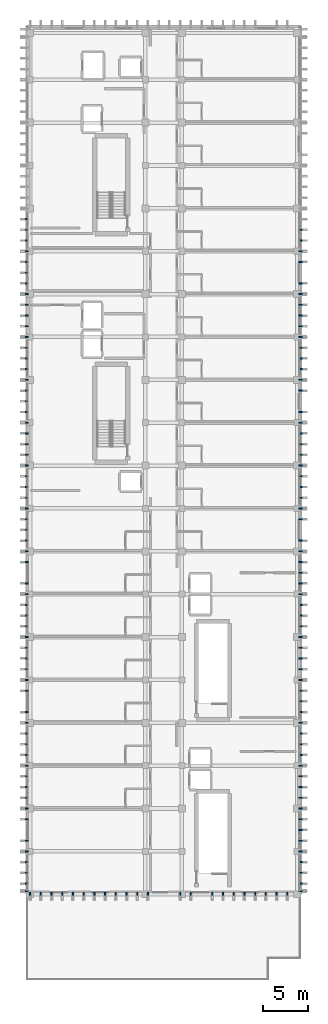
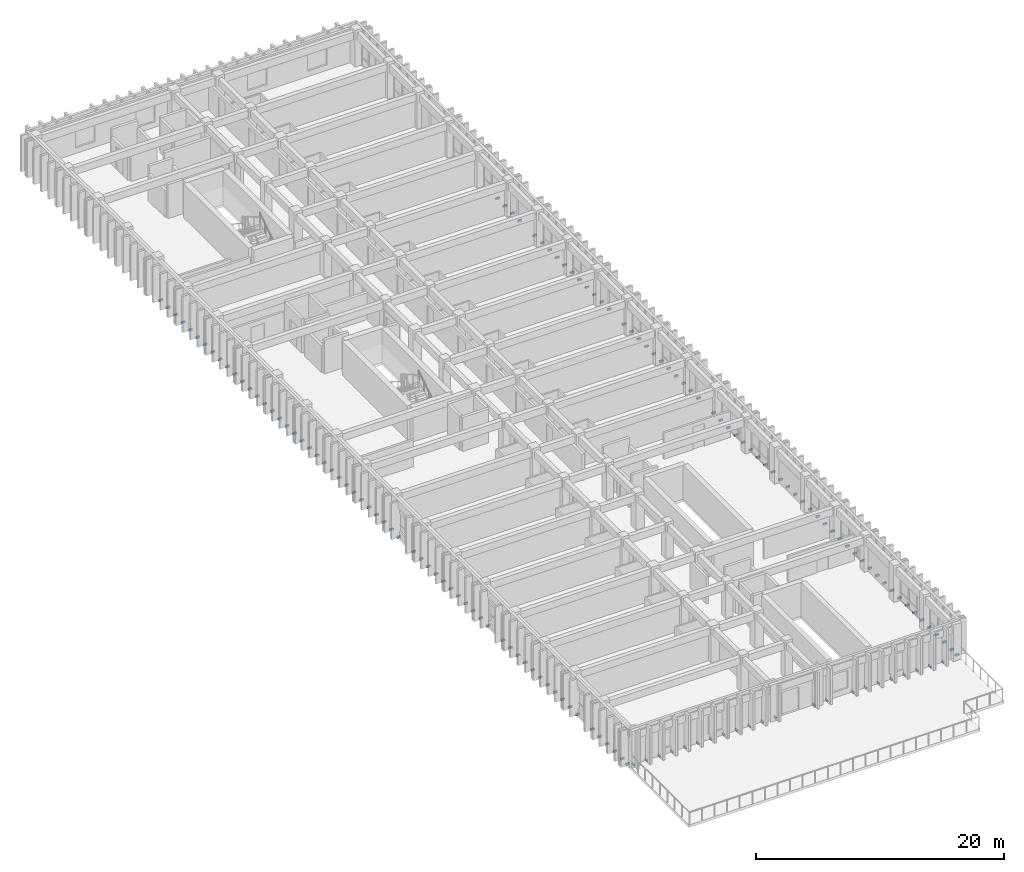
# One storey, part 61 of 68: 143 discrete accessories.
"""IFC4 building model written with IfcOpenShell, lengths in metres."""

from ifc_helpers import new_model, si_unit, direction, frame, origin, origin_2d, place, context, subcontext, project, spatial, rectangle, extrude, material, type_object, element, save


model = new_model("IFC4")

# Units and contexts
model_context = context("Model", 3, precision=1e-05, world=origin(), true_north=direction((0.0, 1.0)))
body_context = subcontext(model_context, "Body", "Model", "MODEL_VIEW")
ifc_project = project(units=[si_unit("LENGTHUNIT", "METRE"), si_unit("AREAUNIT", "SQUARE_METRE"), si_unit("VOLUMEUNIT", "CUBIC_METRE"), si_unit("PLANEANGLEUNIT", "RADIAN"), si_unit("MASSUNIT", "GRAM", prefix="KILO")], contexts=[model_context])

# Site, building, storey
site_placement = place(None, origin())
site = spatial("IfcSite", under=ifc_project, at=site_placement, CompositionType="ELEMENT")
building_placement = place(site_placement, origin())
building = spatial("IfcBuilding", under=site, at=building_placement, Name="Nakhvara Creek Congress Hotel", CompositionType="ELEMENT")
storey_placement = place(building_placement, frame((0.0, 0.0, 24.60009765625)))
storey = spatial("IfcBuildingStorey", under=building, at=storey_placement, Name="L05", CompositionType="ELEMENT", Elevation=24.60009765625)

# Discrete accessories
ifc_material = material(Name="Brushed stainless steel 316L", Category="steel")
discrete_accessory_type = type_object("IfcDiscreteAccessoryType", Name="ACC-BRK-SS316", PredefinedType="BRACKET", material=ifc_material)
for number, where, z_axis, x_axis, name in (
    (1, (179.72998046875, 29.14990234375, -0.10986328125), (0.0, 0.0, 1.0), (0.0, 1.0, 0.0), "Stainless Fin Bracket BK01-1283"),
    (2, (149.070068359375, 29.14990234375, -0.10986328125), (0.0, 0.0, 1.0), (0.0, 1.0, 0.0), "Stainless Fin Bracket BK01-1284"),
    (3, (179.72998046875, 30.0, -0.10986328125), (0.0, 0.0, 1.0), (0.0, 1.0, 0.0), "Stainless Fin Bracket BK01-1285"),
    (4, (149.070068359375, 30.0, -0.10986328125), (0.0, 0.0, 1.0), (0.0, 1.0, 0.0), "Stainless Fin Bracket BK01-1286"),
    (5, (179.72998046875, 31.199951171875, -0.10986328125), (0.0, 0.0, 1.0), (0.0, 1.0, 0.0), "Stainless Fin Bracket BK01-1287"),
    (6, (149.070068359375, 31.199951171875, -0.10986328125), (0.0, 0.0, 1.0), (0.0, 1.0, 0.0), "Stainless Fin Bracket BK01-1288"),
    (7, (179.72998046875, 32.39990234375, -0.10986328125), (0.0, 0.0, 1.0), (0.0, 1.0, 0.0), "Stainless Fin Bracket BK01-1289"),
    (8, (149.070068359375, 32.39990234375, -0.10986328125), (0.0, 0.0, 1.0), (0.0, 1.0, 0.0), "Stainless Fin Bracket BK01-1290"),
    (9, (179.72998046875, 33.60009765625, -0.10986328125), (0.0, 0.0, 1.0), (0.0, 1.0, 0.0), "Stainless Fin Bracket BK01-1291"),
    (10, (149.070068359375, 33.60009765625, -0.10986328125), (0.0, 0.0, 1.0), (0.0, 1.0, 0.0), "Stainless Fin Bracket BK01-1292"),
    (11, (179.72998046875, 34.800048828125, -0.10986328125), (0.0, 0.0, 1.0), (0.0, 1.0, 0.0), "Stainless Fin Bracket BK01-1293"),
    (12, (149.070068359375, 34.800048828125, -0.10986328125), (0.0, 0.0, 1.0), (0.0, 1.0, 0.0), "Stainless Fin Bracket BK01-1294"),
    (13, (179.72998046875, 36.0, -0.10986328125), (0.0, 0.0, 1.0), (0.0, 1.0, 0.0), "Stainless Fin Bracket BK01-1295"),
    (14, (179.72998046875, 37.199951171875, -0.10986328125), (0.0, 0.0, 1.0), (0.0, 1.0, 0.0), "Stainless Fin Bracket BK01-1296"),
    (15, (149.070068359375, 37.199951171875, -0.10986328125), (0.0, 0.0, 1.0), (0.0, 1.0, 0.0), "Stainless Fin Bracket BK01-1297"),
    (16, (179.72998046875, 38.39990234375, -0.10986328125), (0.0, 0.0, 1.0), (0.0, 1.0, 0.0), "Stainless Fin Bracket BK01-1298"),
    (17, (149.070068359375, 38.39990234375, -0.10986328125), (0.0, 0.0, 1.0), (0.0, 1.0, 0.0), "Stainless Fin Bracket BK01-1299"),
    (18, (179.72998046875, 39.60009765625, -0.10986328125), (0.0, 0.0, 1.0), (0.0, 1.0, 0.0), "Stainless Fin Bracket BK01-1300"),
    (19, (149.070068359375, 39.60009765625, -0.10986328125), (0.0, 0.0, 1.0), (0.0, 1.0, 0.0), "Stainless Fin Bracket BK01-1301"),
    (20, (179.72998046875, 40.800048828125, -0.10986328125), (0.0, 0.0, 1.0), (0.0, 1.0, 0.0), "Stainless Fin Bracket BK01-1302"),
    (21, (149.070068359375, 40.800048828125, -0.10986328125), (0.0, 0.0, 1.0), (0.0, 1.0, 0.0), "Stainless Fin Bracket BK01-1303"),
    (22, (179.72998046875, 42.0, -0.10986328125), (0.0, 0.0, 1.0), (0.0, 1.0, 0.0), "Stainless Fin Bracket BK01-1304"),
    (23, (149.070068359375, 42.0, -0.10986328125), (0.0, 0.0, 1.0), (0.0, 1.0, 0.0), "Stainless Fin Bracket BK01-1305"),
    (24, (179.72998046875, 43.199951171875, -0.10986328125), (0.0, 0.0, 1.0), (0.0, 1.0, 0.0), "Stainless Fin Bracket BK01-1306"),
    (25, (149.070068359375, 43.199951171875, -0.10986328125), (0.0, 0.0, 1.0), (0.0, 1.0, 0.0), "Stainless Fin Bracket BK01-1307"),
    (26, (179.72998046875, 44.39990234375, -0.10986328125), (0.0, 0.0, 1.0), (0.0, 1.0, 0.0), "Stainless Fin Bracket BK01-1308"),
    (27, (149.070068359375, 44.39990234375, -0.10986328125), (0.0, 0.0, 1.0), (0.0, 1.0, 0.0), "Stainless Fin Bracket BK01-1309"),
    (28, (179.72998046875, 45.60009765625, -0.10986328125), (0.0, 0.0, 1.0), (0.0, 1.0, 0.0), "Stainless Fin Bracket BK01-1310"),
    (29, (149.070068359375, 45.60009765625, -0.10986328125), (0.0, 0.0, 1.0), (0.0, 1.0, 0.0), "Stainless Fin Bracket BK01-1311"),
    (30, (179.72998046875, 46.800048828125, -0.10986328125), (0.0, 0.0, 1.0), (0.0, 1.0, 0.0), "Stainless Fin Bracket BK01-1312"),
    (31, (149.070068359375, 46.800048828125, -0.10986328125), (0.0, 0.0, 1.0), (0.0, 1.0, 0.0), "Stainless Fin Bracket BK01-1313"),
    (32, (179.72998046875, 48.0, -0.10986328125), (0.0, 0.0, 1.0), (0.0, 1.0, 0.0), "Stainless Fin Bracket BK01-1314"),
    (33, (149.070068359375, 48.0, -0.10986328125), (0.0, 0.0, 1.0), (0.0, 1.0, 0.0), "Stainless Fin Bracket BK01-1315"),
    (34, (179.72998046875, 49.199951171875, -0.10986328125), (0.0, 0.0, 1.0), (0.0, 1.0, 0.0), "Stainless Fin Bracket BK01-1316"),
    (35, (149.070068359375, 49.199951171875, -0.10986328125), (0.0, 0.0, 1.0), (0.0, 1.0, 0.0), "Stainless Fin Bracket BK01-1317"),
    (36, (179.72998046875, 50.39990234375, -0.10986328125), (0.0, 0.0, 1.0), (0.0, 1.0, 0.0), "Stainless Fin Bracket BK01-1318"),
    (37, (179.72998046875, 51.60009765625, -0.10986328125), (0.0, 0.0, 1.0), (0.0, 1.0, 0.0), "Stainless Fin Bracket BK01-1319"),
    (38, (149.070068359375, 51.60009765625, -0.10986328125), (0.0, 0.0, 1.0), (0.0, 1.0, 0.0), "Stainless Fin Bracket BK01-1320"),
    (39, (179.72998046875, 52.800048828125, -0.10986328125), (0.0, 0.0, 1.0), (0.0, 1.0, 0.0), "Stainless Fin Bracket BK01-1321"),
    (40, (149.070068359375, 52.800048828125, -0.10986328125), (0.0, 0.0, 1.0), (0.0, 1.0, 0.0), "Stainless Fin Bracket BK01-1322"),
    (41, (179.72998046875, 54.0, -0.10986328125), (0.0, 0.0, 1.0), (0.0, 1.0, 0.0), "Stainless Fin Bracket BK01-1323"),
    (42, (149.070068359375, 54.0, -0.10986328125), (0.0, 0.0, 1.0), (0.0, 1.0, 0.0), "Stainless Fin Bracket BK01-1324"),
    (43, (179.72998046875, 55.199951171875, -0.10986328125), (0.0, 0.0, 1.0), (0.0, 1.0, 0.0), "Stainless Fin Bracket BK01-1325"),
    (44, (149.070068359375, 55.199951171875, -0.10986328125), (0.0, 0.0, 1.0), (0.0, 1.0, 0.0), "Stainless Fin Bracket BK01-1326"),
    (45, (179.72998046875, 56.39990234375, -0.10986328125), (0.0, 0.0, 1.0), (0.0, 1.0, 0.0), "Stainless Fin Bracket BK01-1327"),
    (46, (149.070068359375, 56.39990234375, -0.10986328125), (0.0, 0.0, 1.0), (0.0, 1.0, 0.0), "Stainless Fin Bracket BK01-1328"),
    (47, (179.72998046875, 57.60009765625, -0.10986328125), (0.0, 0.0, 1.0), (0.0, 1.0, 0.0), "Stainless Fin Bracket BK01-1329"),
    (48, (149.070068359375, 57.60009765625, -0.10986328125), (0.0, 0.0, 1.0), (0.0, 1.0, 0.0), "Stainless Fin Bracket BK01-1330"),
    (49, (179.72998046875, 58.800048828125, -0.10986328125), (0.0, 0.0, 1.0), (0.0, 1.0, 0.0), "Stainless Fin Bracket BK01-1331"),
    (50, (149.070068359375, 58.800048828125, -0.10986328125), (0.0, 0.0, 1.0), (0.0, 1.0, 0.0), "Stainless Fin Bracket BK01-1332"),
    (51, (179.72998046875, 60.0, -0.10986328125), (0.0, 0.0, 1.0), (0.0, 1.0, 0.0), "Stainless Fin Bracket BK01-1333"),
    (52, (149.070068359375, 60.0, -0.10986328125), (0.0, 0.0, 1.0), (0.0, 1.0, 0.0), "Stainless Fin Bracket BK01-1334"),
    (53, (179.72998046875, 61.199951171875, -0.10986328125), (0.0, 0.0, 1.0), (0.0, 1.0, 0.0), "Stainless Fin Bracket BK01-1335"),
    (54, (149.070068359375, 61.199951171875, -0.10986328125), (0.0, 0.0, 1.0), (0.0, 1.0, 0.0), "Stainless Fin Bracket BK01-1336"),
    (55, (179.72998046875, 62.39990234375, -0.10986328125), (0.0, 0.0, 1.0), (0.0, 1.0, 0.0), "Stainless Fin Bracket BK01-1337"),
    (56, (149.070068359375, 62.39990234375, -0.10986328125), (0.0, 0.0, 1.0), (0.0, 1.0, 0.0), "Stainless Fin Bracket BK01-1338"),
    (57, (179.72998046875, 63.60009765625, -0.10986328125), (0.0, 0.0, 1.0), (0.0, 1.0, 0.0), "Stainless Fin Bracket BK01-1339"),
    (58, (149.070068359375, 63.60009765625, -0.10986328125), (0.0, 0.0, 1.0), (0.0, 1.0, 0.0), "Stainless Fin Bracket BK01-1340"),
    (59, (179.72998046875, 64.800048828125, -0.10986328125), (0.0, 0.0, 1.0), (0.0, 1.0, 0.0), "Stainless Fin Bracket BK01-1341"),
    (60, (179.72998046875, 66.0, -0.10986328125), (0.0, 0.0, 1.0), (0.0, 1.0, 0.0), "Stainless Fin Bracket BK01-1342"),
    (61, (149.070068359375, 66.0, -0.10986328125), (0.0, 0.0, 1.0), (0.0, 1.0, 0.0), "Stainless Fin Bracket BK01-1343"),
    (62, (179.72998046875, 67.199951171875, -0.10986328125), (0.0, 0.0, 1.0), (0.0, 1.0, 0.0), "Stainless Fin Bracket BK01-1344"),
    (63, (149.070068359375, 67.199951171875, -0.10986328125), (0.0, 0.0, 1.0), (0.0, 1.0, 0.0), "Stainless Fin Bracket BK01-1345"),
    (64, (179.72998046875, 68.39990234375, -0.10986328125), (0.0, 0.0, 1.0), (0.0, 1.0, 0.0), "Stainless Fin Bracket BK01-1346"),
    (65, (149.070068359375, 68.39990234375, -0.10986328125), (0.0, 0.0, 1.0), (0.0, 1.0, 0.0), "Stainless Fin Bracket BK01-1347"),
    (66, (149.070068359375, 69.60009765625, -0.10986328125), (0.0, 0.0, 1.0), (0.0, 1.0, 0.0), "Stainless Fin Bracket BK01-1348"),
    (67, (179.72998046875, 70.800048828125, -0.10986328125), (0.0, 0.0, 1.0), (0.0, 1.0, 0.0), "Stainless Fin Bracket BK01-1349"),
    (68, (149.070068359375, 70.800048828125, -0.10986328125), (0.0, 0.0, 1.0), (0.0, 1.0, 0.0), "Stainless Fin Bracket BK01-1350"),
    (69, (179.72998046875, 72.0, -0.10986328125), (0.0, 0.0, 1.0), (0.0, 1.0, 0.0), "Stainless Fin Bracket BK01-1351"),
    (70, (149.070068359375, 72.0, -0.10986328125), (0.0, 0.0, 1.0), (0.0, 1.0, 0.0), "Stainless Fin Bracket BK01-1352"),
    (71, (179.72998046875, 73.199951171875, -0.10986328125), (0.0, 0.0, 1.0), (0.0, 1.0, 0.0), "Stainless Fin Bracket BK01-1353"),
    (72, (149.070068359375, 73.199951171875, -0.10986328125), (0.0, 0.0, 1.0), (0.0, 1.0, 0.0), "Stainless Fin Bracket BK01-1354"),
    (73, (179.72998046875, 74.39990234375, -0.10986328125), (0.0, 0.0, 1.0), (0.0, 1.0, 0.0), "Stainless Fin Bracket BK01-1355"),
    (74, (149.070068359375, 74.39990234375, -0.10986328125), (0.0, 0.0, 1.0), (0.0, 1.0, 0.0), "Stainless Fin Bracket BK01-1356"),
    (75, (179.72998046875, 75.60009765625, -0.10986328125), (0.0, 0.0, 1.0), (0.0, 1.0, 0.0), "Stainless Fin Bracket BK01-1357"),
    (76, (149.070068359375, 75.60009765625, -0.10986328125), (0.0, 0.0, 1.0), (0.0, 1.0, 0.0), "Stainless Fin Bracket BK01-1358"),
    (77, (179.72998046875, 76.800048828125, -0.10986328125), (0.0, 0.0, 1.0), (0.0, 1.0, 0.0), "Stainless Fin Bracket BK01-1359"),
    (78, (149.070068359375, 76.800048828125, -0.10986328125), (0.0, 0.0, 1.0), (0.0, 1.0, 0.0), "Stainless Fin Bracket BK01-1360"),
    (79, (179.72998046875, 78.0, -0.10986328125), (0.0, 0.0, 1.0), (0.0, 1.0, 0.0), "Stainless Fin Bracket BK01-1361"),
    (80, (149.070068359375, 78.0, -0.10986328125), (0.0, 0.0, 1.0), (0.0, 1.0, 0.0), "Stainless Fin Bracket BK01-1362"),
    (81, (179.72998046875, 79.199951171875, -0.10986328125), (0.0, 0.0, 1.0), (0.0, 1.0, 0.0), "Stainless Fin Bracket BK01-1363"),
    (82, (149.070068359375, 79.199951171875, -0.10986328125), (0.0, 0.0, 1.0), (0.0, 1.0, 0.0), "Stainless Fin Bracket BK01-1364"),
    (83, (179.72998046875, 80.39990234375, -0.10986328125), (0.0, 0.0, 1.0), (0.0, 1.0, 0.0), "Stainless Fin Bracket BK01-1365"),
    (84, (149.070068359375, 80.39990234375, -0.10986328125), (0.0, 0.0, 1.0), (0.0, 1.0, 0.0), "Stainless Fin Bracket BK01-1366"),
    (85, (179.72998046875, 81.60009765625, -0.10986328125), (0.0, 0.0, 1.0), (0.0, 1.0, 0.0), "Stainless Fin Bracket BK01-1367"),
    (86, (149.070068359375, 81.60009765625, -0.10986328125), (0.0, 0.0, 1.0), (0.0, 1.0, 0.0), "Stainless Fin Bracket BK01-1368"),
    (87, (179.72998046875, 82.800048828125, -0.10986328125), (0.0, 0.0, 1.0), (0.0, 1.0, 0.0), "Stainless Fin Bracket BK01-1369"),
    (88, (149.070068359375, 82.800048828125, -0.10986328125), (0.0, 0.0, 1.0), (0.0, 1.0, 0.0), "Stainless Fin Bracket BK01-1370"),
    (89, (149.070068359375, 84.0, -0.10986328125), (0.0, 0.0, 1.0), (0.0, 1.0, 0.0), "Stainless Fin Bracket BK01-1371"),
    (90, (179.72998046875, 85.199951171875, -0.10986328125), (0.0, 0.0, 1.0), (0.0, 1.0, 0.0), "Stainless Fin Bracket BK01-1372"),
    (91, (149.070068359375, 85.199951171875, -0.10986328125), (0.0, 0.0, 1.0), (0.0, 1.0, 0.0), "Stainless Fin Bracket BK01-1373"),
    (92, (179.72998046875, 86.39990234375, -0.10986328125), (0.0, 0.0, 1.0), (0.0, 1.0, 0.0), "Stainless Fin Bracket BK01-1374"),
    (93, (149.070068359375, 86.39990234375, -0.10986328125), (0.0, 0.0, 1.0), (0.0, 1.0, 0.0), "Stainless Fin Bracket BK01-1375"),
    (94, (179.72998046875, 87.60009765625, -0.10986328125), (0.0, 0.0, 1.0), (0.0, 1.0, 0.0), "Stainless Fin Bracket BK01-1376"),
    (95, (149.070068359375, 87.60009765625, -0.10986328125), (0.0, 0.0, 1.0), (0.0, 1.0, 0.0), "Stainless Fin Bracket BK01-1377"),
    (96, (179.72998046875, 88.800048828125, -0.10986328125), (0.0, 0.0, 1.0), (0.0, 1.0, 0.0), "Stainless Fin Bracket BK01-1378"),
    (97, (149.070068359375, 88.800048828125, -0.10986328125), (0.0, 0.0, 1.0), (0.0, 1.0, 0.0), "Stainless Fin Bracket BK01-1379"),
    (98, (179.72998046875, 90.0, -0.10986328125), (0.0, 0.0, 1.0), (0.0, 1.0, 0.0), "Stainless Fin Bracket BK01-1380"),
    (99, (149.070068359375, 90.0, -0.10986328125), (0.0, 0.0, 1.0), (0.0, 1.0, 0.0), "Stainless Fin Bracket BK01-1381"),
    (100, (179.72998046875, 91.199951171875, -0.10986328125), (0.0, 0.0, 1.0), (0.0, 1.0, 0.0), "Stainless Fin Bracket BK01-1382"),
    (101, (149.070068359375, 91.199951171875, -0.10986328125), (0.0, 0.0, 1.0), (0.0, 1.0, 0.0), "Stainless Fin Bracket BK01-1383"),
    (102, (179.72998046875, 92.39990234375, -0.10986328125), (0.0, 0.0, 1.0), (0.0, 1.0, 0.0), "Stainless Fin Bracket BK01-1384"),
    (103, (149.070068359375, 92.39990234375, -0.10986328125), (0.0, 0.0, 1.0), (0.0, 1.0, 0.0), "Stainless Fin Bracket BK01-1385"),
    (104, (179.72998046875, 93.60009765625, -0.10986328125), (0.0, 0.0, 1.0), (0.0, 1.0, 0.0), "Stainless Fin Bracket BK01-1386"),
    (105, (149.070068359375, 93.60009765625, -0.10986328125), (0.0, 0.0, 1.0), (0.0, 1.0, 0.0), "Stainless Fin Bracket BK01-1387"),
    (106, (179.72998046875, 94.800048828125, -0.10986328125), (0.0, 0.0, 1.0), (0.0, 1.0, 0.0), "Stainless Fin Bracket BK01-1388"),
    (107, (149.070068359375, 94.800048828125, -0.10986328125), (0.0, 0.0, 1.0), (0.0, 1.0, 0.0), "Stainless Fin Bracket BK01-1389"),
    (108, (179.72998046875, 96.0, -0.10986328125), (0.0, 0.0, 1.0), (0.0, 1.0, 0.0), "Stainless Fin Bracket BK01-1390"),
    (109, (149.070068359375, 96.0, -0.10986328125), (0.0, 0.0, 1.0), (0.0, 1.0, 0.0), "Stainless Fin Bracket BK01-1391"),
    (110, (179.72998046875, 97.199951171875, -0.10986328125), (0.0, 0.0, 1.0), (0.0, 1.0, 0.0), "Stainless Fin Bracket BK01-1392"),
    (111, (149.070068359375, 97.199951171875, -0.10986328125), (0.0, 0.0, 1.0), (0.0, 1.0, 0.0), "Stainless Fin Bracket BK01-1393"),
    (112, (149.070068359375, 98.39990234375, -0.10986328125), (0.0, 0.0, 1.0), (0.0, 1.0, 0.0), "Stainless Fin Bracket BK01-1394"),
    (113, (179.72998046875, 99.60009765625, -0.10986328125), (0.0, 0.0, 1.0), (0.0, 1.0, 0.0), "Stainless Fin Bracket BK01-1395"),
    (114, (149.070068359375, 99.60009765625, -0.10986328125), (0.0, 0.0, 1.0), (0.0, 1.0, 0.0), "Stainless Fin Bracket BK01-1396"),
    (115, (179.72998046875, 100.800048828125, -0.10986328125), (0.0, 0.0, 1.0), (0.0, 1.0, 0.0), "Stainless Fin Bracket BK01-1397"),
    (116, (149.070068359375, 100.800048828125, -0.10986328125), (0.0, 0.0, 1.0), (0.0, 1.0, 0.0), "Stainless Fin Bracket BK01-1398"),
    (117, (179.72998046875, 102.0, -0.10986328125), (0.0, 0.0, 1.0), (0.0, 1.0, 0.0), "Stainless Fin Bracket BK01-1399"),
    (118, (149.070068359375, 102.0, -0.10986328125), (0.0, 0.0, 1.0), (0.0, 1.0, 0.0), "Stainless Fin Bracket BK01-1400"),
    (119, (179.72998046875, 103.199951171875, -0.10986328125), (0.0, 0.0, 1.0), (0.0, 1.0, 0.0), "Stainless Fin Bracket BK01-1401"),
    (120, (149.070068359375, 103.199951171875, -0.10986328125), (0.0, 0.0, 1.0), (0.0, 1.0, 0.0), "Stainless Fin Bracket BK01-1402"),
    (121, (149.070068359375, 104.39990234375, -0.10986328125), (0.0, 0.0, 1.0), (0.0, 1.0, 0.0), "Stainless Fin Bracket BK01-1404"),
    (122, (149.449951171875, 28.860107421875, -0.10986328125), (0.0, 0.0, 1.0), (1.0, 0.0, 0.0), "Stainless Fin Bracket BK01-1441"),
    (123, (150.64990234375, 28.860107421875, -0.10986328125), (0.0, 0.0, 1.0), (1.0, 0.0, 0.0), "Stainless Fin Bracket BK01-1443"),
    (124, (151.85009765625, 28.860107421875, -0.10986328125), (0.0, 0.0, 1.0), (1.0, 0.0, 0.0), "Stainless Fin Bracket BK01-1445"),
    (125, (153.050048828125, 28.860107421875, -0.10986328125), (0.0, 0.0, 1.0), (1.0, 0.0, 0.0), "Stainless Fin Bracket BK01-1447"),
    (126, (154.25, 28.860107421875, -0.10986328125), (0.0, 0.0, 1.0), (1.0, 0.0, 0.0), "Stainless Fin Bracket BK01-1448"),
    (127, (155.449951171875, 28.860107421875, -0.10986328125), (0.0, 0.0, 1.0), (1.0, 0.0, 0.0), "Stainless Fin Bracket BK01-1450"),
    (128, (156.64990234375, 28.860107421875, -0.10986328125), (0.0, 0.0, 1.0), (1.0, 0.0, 0.0), "Stainless Fin Bracket BK01-1452"),
    (129, (157.85009765625, 28.860107421875, -0.10986328125), (0.0, 0.0, 1.0), (1.0, 0.0, 0.0), "Stainless Fin Bracket BK01-1454"),
    (130, (159.050048828125, 28.860107421875, -0.10986328125), (0.0, 0.0, 1.0), (1.0, 0.0, 0.0), "Stainless Fin Bracket BK01-1456"),
    (131, (160.25, 28.860107421875, -0.10986328125), (0.0, 0.0, 1.0), (1.0, 0.0, 0.0), "Stainless Fin Bracket BK01-1458"),
    (132, (161.449951171875, 28.860107421875, -0.10986328125), (0.0, 0.0, 1.0), (1.0, 0.0, 0.0), "Stainless Fin Bracket BK01-1460"),
    (133, (162.64990234375, 28.860107421875, -0.10986328125), (0.0, 0.0, 1.0), (1.0, 0.0, 0.0), "Stainless Fin Bracket BK01-1462"),
    (134, (166.25, 28.860107421875, -0.10986328125), (0.0, 0.0, 1.0), (1.0, 0.0, 0.0), "Stainless Fin Bracket BK01-1466"),
    (135, (167.449951171875, 28.860107421875, -0.10986328125), (0.0, 0.0, 1.0), (1.0, 0.0, 0.0), "Stainless Fin Bracket BK01-1468"),
    (136, (169.85009765625, 28.860107421875, -0.10986328125), (0.0, 0.0, 1.0), (1.0, 0.0, 0.0), "Stainless Fin Bracket BK01-1471"),
    (137, (171.050048828125, 28.860107421875, -0.10986328125), (0.0, 0.0, 1.0), (1.0, 0.0, 0.0), "Stainless Fin Bracket BK01-1473"),
    (138, (172.25, 28.860107421875, -0.10986328125), (0.0, 0.0, 1.0), (1.0, 0.0, 0.0), "Stainless Fin Bracket BK01-1475"),
    (139, (173.449951171875, 28.860107421875, -0.10986328125), (0.0, 0.0, 1.0), (1.0, 0.0, 0.0), "Stainless Fin Bracket BK01-1477"),
    (140, (174.64990234375, 28.860107421875, -0.10986328125), (0.0, 0.0, 1.0), (1.0, 0.0, 0.0), "Stainless Fin Bracket BK01-1479"),
    (141, (175.85009765625, 28.860107421875, -0.10986328125), (0.0, 0.0, 1.0), (1.0, 0.0, 0.0), "Stainless Fin Bracket BK01-1480"),
    (142, (177.050048828125, 28.860107421875, -0.10986328125), (0.0, 0.0, 1.0), (1.0, 0.0, 0.0), "Stainless Fin Bracket BK01-1482"),
    (143, (178.25, 28.860107421875, -0.10986328125), (0.0, 0.0, 1.0), (1.0, 0.0, 0.0), "Stainless Fin Bracket BK01-1484"),
):
    element("IfcDiscreteAccessory", number, at=place(storey_placement, frame(where, z_axis=z_axis, x_axis=x_axis)), inside=storey, type_object=discrete_accessory_type, Name=name, PredefinedType="BRACKET", context=body_context, shape_type="SweptSolid", body=[
        extrude(rectangle(XDim=0.139892578125, YDim=0.360107421875, at=origin_2d()), origin(), (0.0, 0.0, 1.0), 0.179931640625),
    ])

save(model, "model.ifc")
